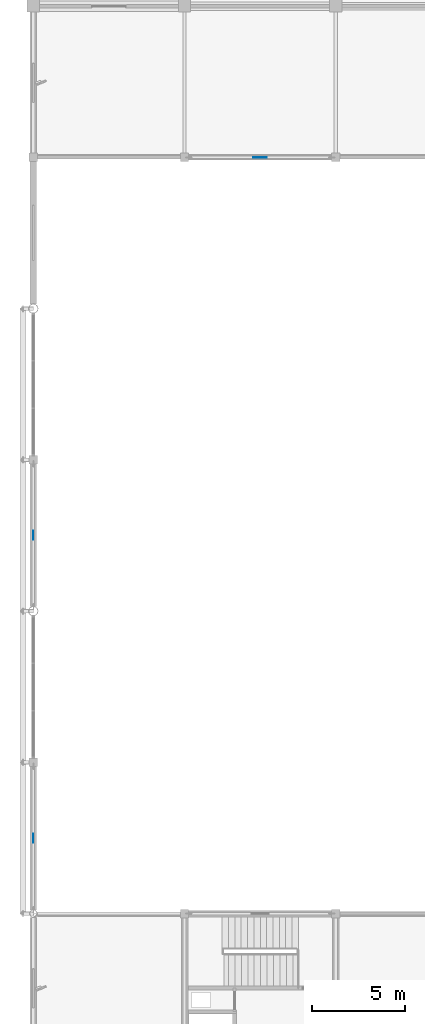
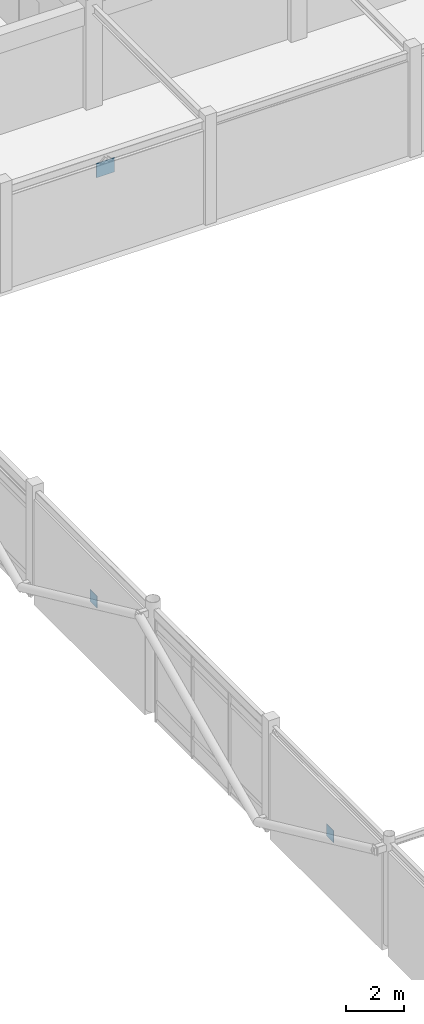
# One storey, part 61 of 93: 3 plates.
"""IFC4 building model written with IfcOpenShell, lengths in metres."""

from ifc_helpers import new_model, si_unit, direction, frame, origin, origin_2d, place, context, subcontext, project, spatial, rectangle, extrude, material, layer, layer_set, type_object, element, save


model = new_model("IFC4")

# Units and contexts
model_context = context("Model", 3, precision=1e-05, world=origin(), true_north=direction((0.0, 1.0)))
body_context = subcontext(model_context, "Body", "Model", "MODEL_VIEW")
ifc_project = project(units=[si_unit("LENGTHUNIT", "METRE"), si_unit("AREAUNIT", "SQUARE_METRE"), si_unit("VOLUMEUNIT", "CUBIC_METRE"), si_unit("PLANEANGLEUNIT", "RADIAN"), si_unit("MASSUNIT", "GRAM", prefix="KILO")], contexts=[model_context])

# Site, building, storey
site_placement = place(None, origin())
site = spatial("IfcSite", under=ifc_project, at=site_placement, CompositionType="ELEMENT")
building_placement = place(site_placement, origin())
building = spatial("IfcBuilding", under=site, at=building_placement, Name="Vaudrelin Polytechnic", CompositionType="ELEMENT")
storey_placement = place(building_placement, frame((0.0, 0.0, 5.10009765625)))
storey = spatial("IfcBuildingStorey", under=building, at=storey_placement, Name="L01", CompositionType="ELEMENT", Elevation=5.10009765625)

# Plates
ifc_material = material(Name="Steel CSA G40.21 350WT", Category="steel")
ifc_layer_1 = layer(ifc_material, 0.02001953125)
ifc_layer_set_1 = layer_set([ifc_layer_1], Name="Steel CSA G40.21 350WT")
plate_type_1 = type_object("IfcPlateType", Name="PLT-GP-03", PredefinedType="USERDEFINED", material=ifc_layer_set_1)
for number, where, z_axis, x_axis, name in (
    (1, (0.0, 52.63916015625, 1.891845703125), (0.0, 0.0, 1.0), (1.0, 0.0, 0.0), "West workshop X-brace crossing gusset node plate GP-XBR01"),
    (2, (0.0, 68.864501953125, 1.872314453125), (0.0, 0.0, 1.0), (1.0, 0.0, 0.0), "West workshop X-brace crossing gusset node plate GP-XBR02"),
):
    element("IfcPlate", number, at=place(storey_placement, frame(where, z_axis=z_axis, x_axis=x_axis)), inside=storey, type_object=plate_type_1, Name=name, ObjectType="GUSSET PLATE", PredefinedType="USERDEFINED", context=body_context, shape_type="SweptSolid", body=[
        extrude(rectangle(XDim=0.02001953125, YDim=0.5, at=origin_2d()), origin(), (0.0, 0.0, 1.0), 0.5),
    ])
ifc_layer_2 = layer(ifc_material, 0.02490234375)
ifc_layer_set_2 = layer_set([ifc_layer_2], Name="Steel CSA G40.21 350WT")
plate_type_2 = type_object("IfcPlateType", Name="PLT-GP-05", PredefinedType="USERDEFINED", material=ifc_layer_set_2)
plate_placement = place(storey_placement, frame((12.14990234375, 89.10009765625, 3.3349609375), z_axis=(0.0, 0.0, 1.0), x_axis=(1.0, 0.0, 0.0)))
element("IfcPlate", 3, at=plate_placement, inside=storey, type_object=plate_type_2, Name="Braced-frame apex gusset plate GP-BF04", ObjectType="GUSSET PLATE", PredefinedType="USERDEFINED", context=body_context, shape_type="SweptSolid", body=[
    extrude(rectangle(XDim=0.719970703125, YDim=0.02490234375, at=origin_2d()), origin(), (0.0, 0.0, 1.0), 0.60009765625),
])

save(model, "model.ifc")
